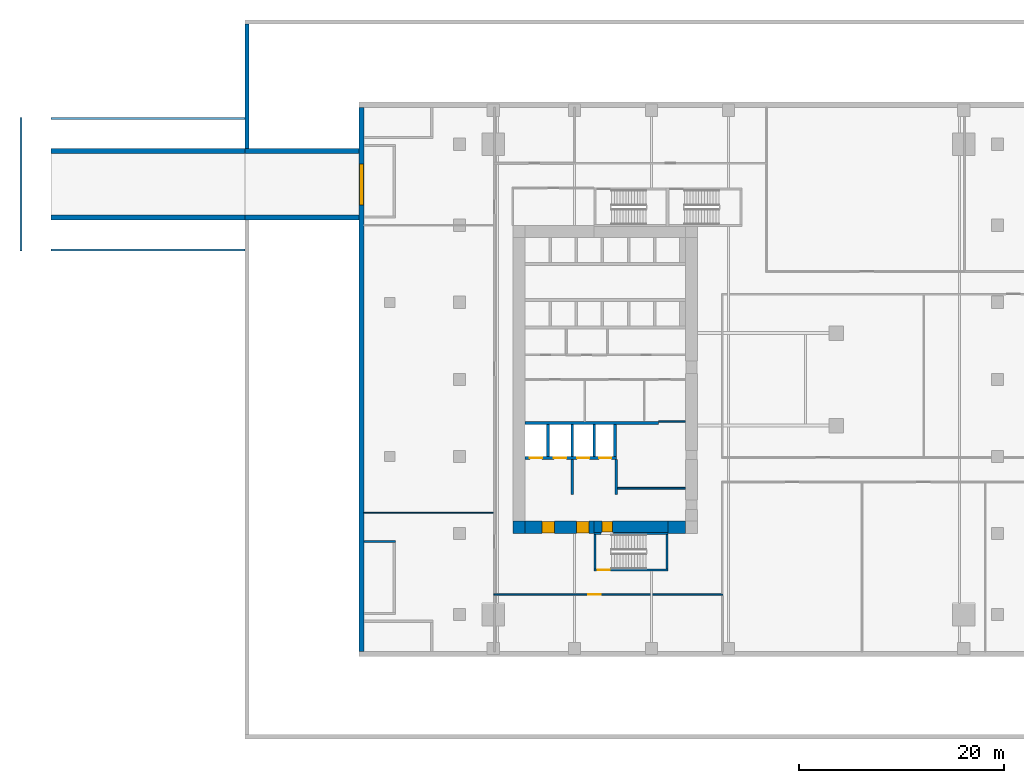
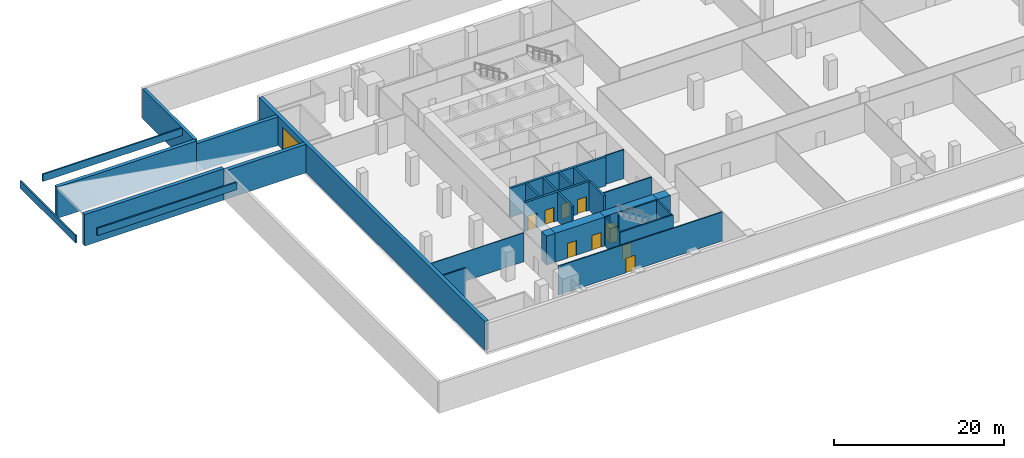
# One storey, part 3 of 11: 31 walls, 10 doors, 10 openings.
"""IFC4 building model written with IfcOpenShell, lengths in metres."""

from ifc_helpers import new_model, si_unit, direction, frame, frame_2d, origin, place, context, subcontext, project, spatial, rectangle, extrude, source, transform, mapped, material, layer, layer_set, type_object, element, fill, save


model = new_model("IFC4")

# Units and contexts
model_context = context("Model", 3, precision=1e-05, world=origin(), true_north=direction((0.0, 1.0)))
body_context = subcontext(model_context, "Body", "Model", "MODEL_VIEW")
ifc_project = project(units=[si_unit("LENGTHUNIT", "METRE"), si_unit("AREAUNIT", "SQUARE_METRE"), si_unit("VOLUMEUNIT", "CUBIC_METRE"), si_unit("PLANEANGLEUNIT", "RADIAN"), si_unit("MASSUNIT", "GRAM", prefix="KILO")], contexts=[model_context])

# Site, building, storey
site_placement = place(None, origin())
site = spatial("IfcSite", under=ifc_project, at=site_placement, CompositionType="ELEMENT")
building_placement = place(site_placement, origin())
building = spatial("IfcBuilding", under=site, at=building_placement, Name="Khomas Fold Tower", CompositionType="ELEMENT")
storey_placement = place(building_placement, frame((0.0, 0.0, -4.5)))
storey = spatial("IfcBuildingStorey", under=building, at=storey_placement, Name="B1", CompositionType="ELEMENT", Elevation=-4.5)

# Wall, openings, doors
ifc_material_1 = material(Name="Concrete C70/85", Category="concrete")
ifc_layer_1 = layer(ifc_material_1, 1.199951171875)
ifc_layer_set_1 = layer_set([ifc_layer_1], Name="Concrete C70/85")
wall_type_1 = type_object("IfcWallType", Name="Core wall 1200", PredefinedType="SHEAR", material=ifc_layer_set_1)
shared_shape_1 = source(origin(), body_context, "Body", "SweptSolid", [
    extrude(rectangle(XDim=6.699951171875, YDim=1.199951171875, at=frame_2d((3.35009765625, 0.0))), origin(), (0.0, 0.0, 1.0), 4.14990234375),
])
wall_1_placement = place(storey_placement, frame((7.199951171875, 12.60009765625, 0.0), z_axis=(0.0, 0.0, 1.0), x_axis=(1.0, 0.0, 0.0)))
wall_1 = element("IfcWall", 1, at=wall_1_placement, inside=storey, type_object=wall_type_1, Name="Core wall CW-L-S-B2", PredefinedType="SHEAR", context=body_context, shape_type="MappedRepresentation", body=[
    mapped(shared_shape_1, transform((0.0, 0.0, 0.0))),
])
shared_shape_2 = source(origin(), body_context, "Body", "SweptSolid", [
    extrude(rectangle(XDim=1.199951171875, YDim=2.10009765625, at=frame_2d((0.60009765625, 1.050048828125))), frame((0.0, 0.60986328125, 0.0), z_axis=(0.0, -1.0, 0.0), x_axis=(1.0, 0.0, 0.0)), (0.0, 0.0, 1.0), 1.219970703125),
])
opening_1_placement = place(wall_1_placement, frame((5.0, 0.0, 0.0)))
opening_1 = element("IfcOpeningElement", 2, at=opening_1_placement, cuts=wall_1, Name="Opening 0009", PredefinedType="OPENING", context=body_context, shape_type="MappedRepresentation", body=[
    mapped(shared_shape_2, transform((0.0, 0.0, 0.0))),
])
opening_2_placement = place(wall_1_placement, frame((1.64990234375, 0.0, 0.0)))
opening_2 = element("IfcOpeningElement", 3, at=opening_2_placement, cuts=wall_1, Name="Opening 0009", PredefinedType="OPENING", context=body_context, shape_type="MappedRepresentation", body=[
    mapped(shared_shape_2, transform((0.0, 0.0, 0.0))),
])
ifc_material_2 = material(Name="Steel door leaf", Category="steel")
door_type_1 = type_object("IfcDoorType", Name="Lobby door 1200x2100 right-hand", OperationType="SINGLE_SWING_RIGHT", PredefinedType="DOOR", material=ifc_material_2)
shared_shape_3 = source(origin(), body_context, "Body", "SweptSolid", [
    extrude(rectangle(XDim=1.199951171875, YDim=2.10009765625, at=frame_2d((0.60009765625, 1.050048828125))), frame((0.0, 0.5498046875, 0.0), z_axis=(0.0, -1.0, 0.0), x_axis=(1.0, 0.0, 0.0)), (0.0, 0.0, 1.0), 1.099853515625),
])
door_1_placement = place(opening_1_placement, origin())
door_1 = element("IfcDoor", 4, at=door_1_placement, inside=storey, type_object=door_type_1, Name="Lobby door", OperationType="SINGLE_SWING_RIGHT", OverallHeight=2.10009765625, OverallWidth=1.199951171875, PredefinedType="DOOR", context=body_context, shape_type="MappedRepresentation", body=[
    mapped(shared_shape_3, transform((0.0, 0.0, 0.0))),
])
fill(opening_1, door_1)
door_2_placement = place(opening_2_placement, origin())
door_2 = element("IfcDoor", 5, at=door_2_placement, inside=storey, type_object=door_type_1, Name="Lobby door", OperationType="SINGLE_SWING_RIGHT", OverallHeight=2.10009765625, OverallWidth=1.199951171875, PredefinedType="DOOR", context=body_context, shape_type="MappedRepresentation", body=[
    mapped(shared_shape_3, transform((0.0, 0.0, 0.0))),
])
fill(opening_2, door_2)

# Wall
ifc_material_3 = material(Name="Concrete C70/85", Category="concrete")
ifc_layer_2 = layer(ifc_material_3, 1.199951171875)
ifc_layer_set_2 = layer_set([ifc_layer_2], Name="Concrete C70/85")
wall_type_2 = type_object("IfcWallType", Name="Core corner wall 1200", PredefinedType="SHEAR", material=ifc_layer_set_2)
shared_shape_4 = source(origin(), body_context, "Body", "SweptSolid", [
    extrude(rectangle(XDim=1.199951171875, YDim=1.199951171875, at=frame_2d((0.60009765625, 0.0))), origin(), (0.0, 0.0, 1.0), 4.14990234375),
])
wall_2_placement = place(storey_placement, frame((6.0, 12.60009765625, 0.0), z_axis=(0.0, 0.0, 1.0), x_axis=(1.0, 0.0, 0.0)))
element("IfcWall", 6, at=wall_2_placement, inside=storey, type_object=wall_type_2, Name="Core wall CW-L-SW-B2", PredefinedType="SHEAR", context=body_context, shape_type="MappedRepresentation", body=[
    mapped(shared_shape_4, transform((0.0, 0.0, 0.0))),
])

# Wall, opening, door
ifc_material_4 = material(Name="Concrete C70/85", Category="concrete")
ifc_layer_3 = layer(ifc_material_4, 1.10009765625)
ifc_layer_set_3 = layer_set([ifc_layer_3], Name="Concrete C70/85")
wall_type_3 = type_object("IfcWallType", Name="Core wall 1100", PredefinedType="SHEAR", material=ifc_layer_set_3)
shared_shape_5 = source(origin(), body_context, "Body", "SweptSolid", [
    extrude(rectangle(XDim=7.2001953125, YDim=1.10009765625, at=frame_2d((3.60009765625, 0.0))), origin(), (0.0, 0.0, 1.0), 4.14990234375),
])
wall_3_placement = place(storey_placement, frame((13.89990234375, 12.64990234375, 0.0), z_axis=(0.0, 0.0, 1.0), x_axis=(1.0, 0.0, 0.0)))
wall_3 = element("IfcWall", 7, at=wall_3_placement, inside=storey, type_object=wall_type_3, Name="Core wall CW-L-S-B2-1", PredefinedType="SHEAR", context=body_context, shape_type="MappedRepresentation", body=[
    mapped(shared_shape_5, transform((0.0, 0.0, 0.0))),
])
shared_shape_6 = source(origin(), body_context, "Body", "SweptSolid", [
    extrude(rectangle(XDim=1.0, YDim=2.10009765625, at=frame_2d((0.5, 1.050048828125))), frame((0.0, 0.56005859375, 0.0), z_axis=(0.0, -1.0, 0.0), x_axis=(1.0, 0.0, 0.0)), (0.0, 0.0, 1.0), 1.1201171875),
])
opening_3_placement = place(wall_3_placement, frame((0.800048828125, 0.0, 0.0)))
opening_3 = element("IfcOpeningElement", 8, at=opening_3_placement, cuts=wall_3, Name="Opening 0010", PredefinedType="OPENING", context=body_context, shape_type="MappedRepresentation", body=[
    mapped(shared_shape_6, transform((0.0, 0.0, 0.0))),
])
ifc_material_5 = material(Name="Steel door leaf", Category="steel")
door_type_2 = type_object("IfcDoorType", Name="Stair door 1000x2100 right-hand", OperationType="SINGLE_SWING_RIGHT", PredefinedType="DOOR", material=ifc_material_5)
shared_shape_7 = source(origin(), body_context, "Body", "SweptSolid", [
    extrude(rectangle(XDim=1.0, YDim=2.10009765625, at=frame_2d((0.5, 1.050048828125))), frame((0.0, 0.5, 0.0), z_axis=(0.0, -1.0, 0.0), x_axis=(1.0, 0.0, 0.0)), (0.0, 0.0, 1.0), 1.0),
])
door_3_placement = place(opening_3_placement, origin())
door_3 = element("IfcDoor", 9, at=door_3_placement, inside=storey, type_object=door_type_2, Name="Stair door", OperationType="SINGLE_SWING_RIGHT", OverallHeight=2.10009765625, OverallWidth=1.0, PredefinedType="DOOR", context=body_context, shape_type="MappedRepresentation", body=[
    mapped(shared_shape_7, transform((0.0, 0.0, 0.0))),
])
fill(opening_3, door_3)

# Walls
shared_shape_8 = source(origin(), body_context, "Body", "SweptSolid", [
    extrude(rectangle(XDim=1.699951171875, YDim=1.199951171875, at=frame_2d((0.85009765625, 0.0))), origin(), (0.0, 0.0, 1.0), 4.14990234375),
])
wall_4_placement = place(storey_placement, frame((21.10009765625, 12.60009765625, 0.0), z_axis=(0.0, 0.0, 1.0), x_axis=(1.0, 0.0, 0.0)))
element("IfcWall", 10, at=wall_4_placement, inside=storey, type_object=wall_type_1, Name="Core wall CW-L-S-B2-2", PredefinedType="SHEAR", context=body_context, shape_type="MappedRepresentation", body=[
    mapped(shared_shape_8, transform((0.0, 0.0, 0.0))),
])
ifc_material_6 = material(Name="Concrete C50/60", Category="concrete")
ifc_layer_4 = layer(ifc_material_6, 0.199951171875)
ifc_layer_set_4 = layer_set([ifc_layer_4], Name="Concrete C50/60")
wall_type_4 = type_object("IfcWallType", Name="Stair wall 200", PredefinedType="SHEAR", material=ifc_layer_set_4)
shared_shape_9 = source(origin(), body_context, "Body", "SweptSolid", [
    extrude(rectangle(XDim=0.7001953125, YDim=0.199951171875, at=frame_2d((0.35009765625, 0.0))), origin(), (0.0, 0.0, 1.0), 4.14990234375),
])
wall_5_placement = place(storey_placement, frame((13.89990234375, 12.0, 0.0), z_axis=(0.0, 0.0, 1.0), x_axis=(1.0, 0.0, 0.0)))
element("IfcWall", 11, at=wall_5_placement, inside=storey, type_object=wall_type_4, Name="Stair wall SW-ST2-N", PredefinedType="SHEAR", context=body_context, shape_type="MappedRepresentation", body=[
    mapped(shared_shape_9, transform((0.0, 0.0, 0.0))),
])
shared_shape_10 = source(origin(), body_context, "Body", "SweptSolid", [
    extrude(rectangle(XDim=5.300048828125, YDim=0.199951171875, at=frame_2d((2.64990234375, 0.0))), origin(), (0.0, 0.0, 1.0), 4.14990234375),
])
wall_6_placement = place(storey_placement, frame((15.800048828125, 12.0, 0.0), z_axis=(0.0, 0.0, 1.0), x_axis=(1.0, 0.0, 0.0)))
element("IfcWall", 12, at=wall_6_placement, inside=storey, type_object=wall_type_4, Name="Stair wall SW-ST2-NB", PredefinedType="SHEAR", context=body_context, shape_type="MappedRepresentation", body=[
    mapped(shared_shape_10, transform((0.0, 0.0, 0.0))),
])

# Wall, opening, door
shared_shape_11 = source(origin(), body_context, "Body", "SweptSolid", [
    extrude(rectangle(XDim=7.2001953125, YDim=0.199951171875, at=frame_2d((3.60009765625, 0.0))), origin(), (0.0, 0.0, 1.0), 4.14990234375),
])
wall_7_placement = place(storey_placement, frame((13.89990234375, 8.449951171875, 0.0), z_axis=(0.0, 0.0, 1.0), x_axis=(1.0, 0.0, 0.0)))
wall_7 = element("IfcWall", 13, at=wall_7_placement, inside=storey, type_object=wall_type_4, Name="Stair wall SW-ST2-S", PredefinedType="SHEAR", context=body_context, shape_type="MappedRepresentation", body=[
    mapped(shared_shape_11, transform((0.0, 0.0, 0.0))),
])
shared_shape_12 = source(origin(), body_context, "Body", "SweptSolid", [
    extrude(rectangle(XDim=1.199951171875, YDim=2.10009765625, at=frame_2d((0.60009765625, 1.050048828125))), frame((0.0, 0.10986328125, 0.0), z_axis=(0.0, -1.0, 0.0), x_axis=(1.0, 0.0, 0.0)), (0.0, 0.0, 1.0), 0.219970703125),
])
opening_4_placement = place(wall_7_placement, frame((0.35009765625, 0.0, 0.0)))
opening_4 = element("IfcOpeningElement", 14, at=opening_4_placement, cuts=wall_7, Name="Opening SD-ST2", PredefinedType="OPENING", context=body_context, shape_type="MappedRepresentation", body=[
    mapped(shared_shape_12, transform((0.0, 0.0, 0.0))),
])
ifc_material_7 = material(Name="Steel door leaf", Category="steel")
door_type_3 = type_object("IfcDoorType", Name="Stair door 1200x2100 right-hand", OperationType="SINGLE_SWING_RIGHT", PredefinedType="DOOR", material=ifc_material_7)
shared_shape_13 = source(origin(), body_context, "Body", "SweptSolid", [
    extrude(rectangle(XDim=1.199951171875, YDim=2.10009765625, at=frame_2d((0.60009765625, 1.050048828125))), frame((0.0, 0.02490234375, 0.0), z_axis=(0.0, -1.0, 0.0), x_axis=(1.0, 0.0, 0.0)), (0.0, 0.0, 1.0), 0.050048828125),
])
door_4_placement = place(opening_4_placement, origin())
door_4 = element("IfcDoor", 15, at=door_4_placement, inside=storey, type_object=door_type_3, Name="Stair door", OperationType="SINGLE_SWING_RIGHT", OverallHeight=2.10009765625, OverallWidth=1.199951171875, PredefinedType="DOOR", context=body_context, shape_type="MappedRepresentation", body=[
    mapped(shared_shape_13, transform((0.0, 0.0, 0.0))),
])
fill(opening_4, door_4)

# Walls
shared_shape_14 = source(origin(), body_context, "Body", "SweptSolid", [
    extrude(rectangle(XDim=3.349853515625, YDim=0.199951171875, at=frame_2d((1.6748046875, 0.0))), origin(), (0.0, 0.0, 1.0), 4.14990234375),
])
for number, where, z_axis, x_axis, name in (
    (16, (21.0, 8.550048828125, 0.0), (0.0, 0.0, 1.0), (0.0, 1.0, 0.0), "Stair wall SW-ST2-E"),
    (17, (14.0, 8.550048828125, 0.0), (0.0, 0.0, 1.0), (0.0, 1.0, 0.0), "Stair wall SW-ST2-W"),
):
    element("IfcWall", number, at=place(storey_placement, frame(where, z_axis=z_axis, x_axis=x_axis)), inside=storey, type_object=wall_type_4, Name=name, PredefinedType="SHEAR", context=body_context, shape_type="MappedRepresentation", body=[
        mapped(shared_shape_14, transform((0.0, 0.0, 0.0))),
    ])
ifc_material_8 = material(Name="Concrete C50/60", Category="concrete")
ifc_layer_5 = layer(ifc_material_8, 0.300048828125)
ifc_layer_set_5 = layer_set([ifc_layer_5], Name="Concrete C50/60")
wall_type_5 = type_object("IfcWallType", Name="Shaft wall 300", PredefinedType="STANDARD", material=ifc_layer_set_5)
shared_shape_15 = source(origin(), body_context, "Body", "SweptSolid", [
    extrude(rectangle(XDim=13.0, YDim=0.300048828125, at=frame_2d((6.5, 0.0))), origin(), (0.0, 0.0, 1.0), 4.14990234375),
])
wall_8_placement = place(storey_placement, frame((7.199951171875, 22.75, 0.0), z_axis=(0.0, 0.0, 1.0), x_axis=(1.0, 0.0, 0.0)))
element("IfcWall", 18, at=wall_8_placement, inside=storey, type_object=wall_type_5, Name="Core wall SW-FS-B", PredefinedType="STANDARD", context=body_context, shape_type="MappedRepresentation", body=[
    mapped(shared_shape_15, transform((0.0, 0.0, 0.0))),
])

# Wall, openings, doors
shared_shape_16 = source(origin(), body_context, "Body", "SweptSolid", [
    extrude(rectangle(XDim=8.875, YDim=0.300048828125, at=frame_2d((4.4375, 0.0))), origin(), (0.0, 0.0, 1.0), 4.14990234375),
])
wall_9_placement = place(storey_placement, frame((7.199951171875, 19.35009765625, 0.0), z_axis=(0.0, 0.0, 1.0), x_axis=(1.0, 0.0, 0.0)))
wall_9 = element("IfcWall", 19, at=wall_9_placement, inside=storey, type_object=wall_type_5, Name="Core wall SW-FS-F", PredefinedType="STANDARD", context=body_context, shape_type="MappedRepresentation", body=[
    mapped(shared_shape_16, transform((0.0, 0.0, 0.0))),
])
shared_shape_17 = source(origin(), body_context, "Body", "SweptSolid", [
    extrude(rectangle(XDim=1.199951171875, YDim=2.10009765625, at=frame_2d((0.60009765625, 1.050048828125))), frame((0.0, 0.159912109375, 0.0), z_axis=(0.0, -1.0, 0.0), x_axis=(1.0, 0.0, 0.0)), (0.0, 0.0, 1.0), 0.320068359375),
])
opening_5_placement = place(wall_9_placement, frame((0.449951171875, 0.0, 0.0)))
opening_5 = element("IfcOpeningElement", 20, at=opening_5_placement, cuts=wall_9, Name="Opening LD-SV1", PredefinedType="OPENING", context=body_context, shape_type="MappedRepresentation", body=[
    mapped(shared_shape_17, transform((0.0, 0.0, 0.0))),
])
opening_6_placement = place(wall_9_placement, frame((2.800048828125, 0.0, 0.0)))
opening_6 = element("IfcOpeningElement", 21, at=opening_6_placement, cuts=wall_9, Name="Opening LD-SV2", PredefinedType="OPENING", context=body_context, shape_type="MappedRepresentation", body=[
    mapped(shared_shape_17, transform((0.0, 0.0, 0.0))),
])
opening_7_placement = place(wall_9_placement, frame((5.050048828125, 0.0, 0.0)))
opening_7 = element("IfcOpeningElement", 22, at=opening_7_placement, cuts=wall_9, Name="Opening LD-FF1", PredefinedType="OPENING", context=body_context, shape_type="MappedRepresentation", body=[
    mapped(shared_shape_17, transform((0.0, 0.0, 0.0))),
])
opening_8_placement = place(wall_9_placement, frame((7.199951171875, 0.0, 0.0)))
opening_8 = element("IfcOpeningElement", 23, at=opening_8_placement, cuts=wall_9, Name="Opening LD-FF2", PredefinedType="OPENING", context=body_context, shape_type="MappedRepresentation", body=[
    mapped(shared_shape_17, transform((0.0, 0.0, 0.0))),
])
ifc_material_9 = material(Name="Steel door leaf", Category="steel")
door_type_4 = type_object("IfcDoorType", Name="Landing door 1200x2100", OperationType="DOUBLE_DOOR_SLIDING", PredefinedType="DOOR", material=ifc_material_9)
door_5_placement = place(opening_5_placement, origin())
door_5 = element("IfcDoor", 24, at=door_5_placement, inside=storey, type_object=door_type_4, Name="Lift landing door", OperationType="DOUBLE_DOOR_SLIDING", OverallHeight=2.10009765625, OverallWidth=1.199951171875, PredefinedType="DOOR", context=body_context, shape_type="MappedRepresentation", body=[
    mapped(shared_shape_13, transform((0.0, 0.0, 0.0))),
])
fill(opening_5, door_5)
door_6_placement = place(opening_6_placement, origin())
door_6 = element("IfcDoor", 25, at=door_6_placement, inside=storey, type_object=door_type_4, Name="Lift landing door", OperationType="DOUBLE_DOOR_SLIDING", OverallHeight=2.10009765625, OverallWidth=1.199951171875, PredefinedType="DOOR", context=body_context, shape_type="MappedRepresentation", body=[
    mapped(shared_shape_13, transform((0.0, 0.0, 0.0))),
])
fill(opening_6, door_6)
door_7_placement = place(opening_7_placement, origin())
door_7 = element("IfcDoor", 26, at=door_7_placement, inside=storey, type_object=door_type_4, Name="Lift landing door", OperationType="DOUBLE_DOOR_SLIDING", OverallHeight=2.10009765625, OverallWidth=1.199951171875, PredefinedType="DOOR", context=body_context, shape_type="MappedRepresentation", body=[
    mapped(shared_shape_13, transform((0.0, 0.0, 0.0))),
])
fill(opening_7, door_7)
door_8_placement = place(opening_8_placement, origin())
door_8 = element("IfcDoor", 27, at=door_8_placement, inside=storey, type_object=door_type_4, Name="Lift landing door", OperationType="DOUBLE_DOOR_SLIDING", OverallHeight=2.10009765625, OverallWidth=1.199951171875, PredefinedType="DOOR", context=body_context, shape_type="MappedRepresentation", body=[
    mapped(shared_shape_13, transform((0.0, 0.0, 0.0))),
])
fill(opening_8, door_8)

# Walls
ifc_material_10 = material(Name="Concrete C50/60", Category="concrete")
ifc_layer_6 = layer(ifc_material_10, 0.25)
ifc_layer_set_6 = layer_set([ifc_layer_6], Name="Concrete C50/60")
wall_type_6 = type_object("IfcWallType", Name="Shaft wall 250", PredefinedType="STANDARD", material=ifc_layer_set_6)
shared_shape_18 = source(origin(), body_context, "Body", "SweptSolid", [
    extrude(rectangle(XDim=3.10009765625, YDim=0.25, at=frame_2d((1.550048828125, 0.0))), origin(), (0.0, 0.0, 1.0), 4.14990234375),
])
for number, where, z_axis, x_axis, name in (
    (28, (9.425048828125, 19.5, 0.0), (0.0, 0.0, 1.0), (0.0, 1.0, 0.0), "Core wall SW-FS-P1"),
    (29, (11.77490234375, 19.5, 0.0), (0.0, 0.0, 1.0), (0.0, 1.0, 0.0), "Core wall SW-FS-P2"),
    (30, (13.925048828125, 19.5, 0.0), (0.0, 0.0, 1.0), (0.0, 1.0, 0.0), "Core wall SW-FS-P3"),
    (31, (15.949951171875, 19.5, 0.0), (0.0, 0.0, 1.0), (0.0, 1.0, 0.0), "Core wall SW-FS-PE"),
):
    element("IfcWall", number, at=place(storey_placement, frame(where, z_axis=z_axis, x_axis=x_axis)), inside=storey, type_object=wall_type_6, Name=name, PredefinedType="STANDARD", context=body_context, shape_type="MappedRepresentation", body=[
        mapped(shared_shape_18, transform((0.0, 0.0, 0.0))),
    ])
ifc_material_11 = material(Name="Concrete C50/60", Category="concrete")
ifc_layer_7 = layer(ifc_material_11, 0.25)
ifc_layer_set_7 = layer_set([ifc_layer_7], Name="Concrete C50/60")
wall_type_7 = type_object("IfcWallType", Name="Lobby wall 250", PredefinedType="STANDARD", material=ifc_layer_set_7)
shared_shape_19 = source(origin(), body_context, "Body", "SweptSolid", [
    extrude(rectangle(XDim=3.39990234375, YDim=0.25, at=frame_2d((1.699951171875, 0.0))), origin(), (0.0, 0.0, 1.0), 4.14990234375),
])
for number, where, z_axis, x_axis, name in (
    (32, (16.074951171875, 15.800048828125, 0.0), (0.0, 0.0, 1.0), (0.0, 1.0, 0.0), "Core wall SW-FS-LOB-E"),
    (33, (11.77490234375, 15.800048828125, 0.0), (0.0, 0.0, 1.0), (0.0, 1.0, 0.0), "Core wall SW-FS-SEP"),
):
    element("IfcWall", number, at=place(storey_placement, frame(where, z_axis=z_axis, x_axis=x_axis)), inside=storey, type_object=wall_type_7, Name=name, PredefinedType="STANDARD", context=body_context, shape_type="MappedRepresentation", body=[
        mapped(shared_shape_19, transform((0.0, 0.0, 0.0))),
    ])

# Wall, opening, door
ifc_material_12 = material(Name="Concrete C40/50", Category="concrete")
ifc_layer_8 = layer(ifc_material_12, 0.5)
ifc_layer_set_8 = layer_set([ifc_layer_8], Name="Concrete C40/50")
wall_type_8 = type_object("IfcWallType", Name="Basement wall 500", PredefinedType="STANDARD", material=ifc_layer_set_8)
shared_shape_20 = source(origin(), body_context, "Body", "SweptSolid", [
    extrude(rectangle(XDim=53.0, YDim=0.5, at=frame_2d((26.5, 0.0))), origin(), (0.0, 0.0, 1.0), 4.14990234375),
])
wall_10_placement = place(storey_placement, frame((-8.75, 0.5, 0.0), z_axis=(0.0, 0.0, 1.0), x_axis=(0.0, 1.0, 0.0)))
wall_10 = element("IfcWall", 34, at=wall_10_placement, inside=storey, type_object=wall_type_8, Name="Basement wall W", PredefinedType="STANDARD", context=body_context, shape_type="MappedRepresentation", body=[
    mapped(shared_shape_20, transform((0.0, 0.0, 0.0))),
])
shared_shape_21 = source(origin(), body_context, "Body", "SweptSolid", [
    extrude(rectangle(XDim=4.0, YDim=3.199951171875, at=frame_2d((2.0, 1.60009765625))), frame((0.0, 0.260009765625, 0.0), z_axis=(0.0, -1.0, 0.0), x_axis=(1.0, 0.0, 0.0)), (0.0, 0.0, 1.0), 0.52001953125),
])
opening_9_placement = place(wall_10_placement, frame((43.5, 0.0, 0.0)))
opening_9 = element("IfcOpeningElement", 35, at=opening_9_placement, cuts=wall_10, Name="Opening V2", PredefinedType="OPENING", context=body_context, shape_type="MappedRepresentation", body=[
    mapped(shared_shape_21, transform((0.0, 0.0, 0.0))),
])
ifc_material_13 = material(Name="Galvanised steel", Category="steel")
door_type_5 = type_object("IfcDoorType", Name="Roller shutter gate 4000 x 3200", OperationType="ROLLINGUP", PredefinedType="GATE", material=ifc_material_13)
shared_shape_22 = source(origin(), body_context, "Body", "SweptSolid", [
    extrude(rectangle(XDim=4.0, YDim=3.199951171875, at=frame_2d((2.0, 1.60009765625))), frame((0.0, 0.199951171875, 0.0), z_axis=(0.0, -1.0, 0.0), x_axis=(1.0, 0.0, 0.0)), (0.0, 0.0, 1.0), 0.39990234375),
])
door_9_placement = place(opening_9_placement, origin())
door_9 = element("IfcDoor", 36, at=door_9_placement, inside=storey, type_object=door_type_5, Name="Vehicle gate V2", OperationType="ROLLINGUP", OverallHeight=3.199951171875, OverallWidth=4.0, PredefinedType="GATE", context=body_context, shape_type="MappedRepresentation", body=[
    mapped(shared_shape_22, transform((0.0, 0.0, 0.0))),
])
fill(opening_9, door_9)

# Walls
ifc_material_14 = material(Name="Concrete C40/50", Category="concrete")
ifc_layer_9 = layer(ifc_material_14, 0.39990234375)
ifc_layer_set_9 = layer_set([ifc_layer_9], Name="Concrete C40/50")
wall_type_9 = type_object("IfcWallType", Name="Plaza retaining wall 400", PredefinedType="SOLIDWALL", material=ifc_layer_set_9)
shared_shape_23 = source(origin(), body_context, "Body", "SweptSolid", [
    extrude(rectangle(XDim=12.10009765625, YDim=0.39990234375, at=frame_2d((6.050048828125, 0.0))), origin(), (0.0, 0.0, 1.0), 4.35009765625),
])
wall_11_placement = place(storey_placement, frame((-19.898193359375, 49.5, 0.0), z_axis=(0.0, 0.0, 1.0), x_axis=(0.0, 1.0, 0.0)))
element("IfcWall", 37, at=wall_11_placement, inside=storey, type_object=wall_type_9, Name="Plaza retaining wall", PredefinedType="SOLIDWALL", context=body_context, shape_type="MappedRepresentation", body=[
    mapped(shared_shape_23, transform((0.0, 0.0, 0.0))),
])
ifc_material_15 = material(Name="Concrete C35/45", Category="concrete")
ifc_layer_10 = layer(ifc_material_15, 0.199951171875)
ifc_layer_set_10 = layer_set([ifc_layer_10], Name="Concrete C35/45")
wall_type_10 = type_object("IfcWallType", Name="Paving kerb wall 200", PredefinedType="SOLIDWALL", material=ifc_layer_set_10)
shared_shape_24 = source(origin(), body_context, "Body", "SweptSolid", [
    extrude(rectangle(XDim=18.896484375, YDim=0.199951171875, at=frame_2d((9.4482421875, 0.0))), origin(), (0.0, 0.0, 1.0), 1.050048828125),
])
for number, where, z_axis, x_axis, name in (
    (38, (-38.99462890625, 39.60009765625, 3.300048828125), (0.0, 0.0, 1.0), (1.0, 0.0, 0.0), "Paving kerb wall"),
    (39, (-38.99462890625, 52.39990234375, 3.300048828125), (0.0, 0.0, 1.0), (1.0, 0.0, 0.0), "Paving kerb wall"),
):
    element("IfcWall", number, at=place(storey_placement, frame(where, z_axis=z_axis, x_axis=x_axis)), inside=storey, type_object=wall_type_10, Name=name, PredefinedType="SOLIDWALL", context=body_context, shape_type="MappedRepresentation", body=[
        mapped(shared_shape_24, transform((0.0, 0.0, 0.0))),
    ])
shared_shape_25 = source(origin(), body_context, "Body", "SweptSolid", [
    extrude(rectangle(XDim=13.0, YDim=0.199951171875, at=frame_2d((6.5, 0.0))), origin(), (0.0, 0.0, 1.0), 1.050048828125),
])
wall_12_placement = place(storey_placement, frame((-41.89453125, 39.5, 3.300048828125), z_axis=(0.0, 0.0, 1.0), x_axis=(0.0, 1.0, 0.0)))
element("IfcWall", 40, at=wall_12_placement, inside=storey, type_object=wall_type_10, Name="Paving kerb wall", PredefinedType="SOLIDWALL", context=body_context, shape_type="MappedRepresentation", body=[
    mapped(shared_shape_25, transform((0.0, 0.0, 0.0))),
])
ifc_material_16 = material(Name="Concrete C40/50", Category="concrete")
ifc_layer_11 = layer(ifc_material_16, 0.5)
ifc_layer_set_11 = layer_set([ifc_layer_11], Name="Concrete C40/50")
wall_type_11 = type_object("IfcWallType", Name="Ramp retaining wall 500", PredefinedType="SOLIDWALL", material=ifc_layer_set_11)
shared_shape_26 = source(origin(), body_context, "Body", "SweptSolid", [
    extrude(rectangle(XDim=18.896484375, YDim=0.5, at=frame_2d((9.4482421875, 0.0))), origin(), (0.0, 0.0, 1.0), 4.5),
])
for number, where, z_axis, x_axis, name in (
    (41, (-38.99462890625, 42.75, 0.0), (0.0, 0.0, 1.0), (1.0, 0.0, 0.0), "Ramp retaining wall"),
    (42, (-38.99462890625, 49.25, 0.0), (0.0, 0.0, 1.0), (1.0, 0.0, 0.0), "Ramp retaining wall"),
):
    element("IfcWall", number, at=place(storey_placement, frame(where, z_axis=z_axis, x_axis=x_axis)), inside=storey, type_object=wall_type_11, Name=name, PredefinedType="SOLIDWALL", context=body_context, shape_type="MappedRepresentation", body=[
        mapped(shared_shape_26, transform((0.0, 0.0, 0.0))),
    ])
ifc_material_17 = material(Name="Concrete C40/50", Category="concrete")
ifc_layer_12 = layer(ifc_material_17, 0.5)
ifc_layer_set_12 = layer_set([ifc_layer_12], Name="Concrete C40/50")
wall_type_12 = type_object("IfcWallType", Name="Ramp retaining wall 500 under cover", PredefinedType="SOLIDWALL", material=ifc_layer_set_12)
shared_shape_27 = source(origin(), body_context, "Body", "SweptSolid", [
    extrude(rectangle(XDim=11.09814453125, YDim=0.5, at=frame_2d((5.549072265625, 0.0))), origin(), (0.0, 0.0, 1.0), 4.10009765625),
])
for number, where, z_axis, x_axis, name in (
    (43, (-20.09814453125, 42.75, 0.0), (0.0, 0.0, 1.0), (1.0, 0.0, 0.0), "Ramp retaining wall"),
    (44, (-20.09814453125, 49.25, 0.0), (0.0, 0.0, 1.0), (1.0, 0.0, 0.0), "Ramp retaining wall"),
):
    element("IfcWall", number, at=place(storey_placement, frame(where, z_axis=z_axis, x_axis=x_axis)), inside=storey, type_object=wall_type_12, Name=name, PredefinedType="SOLIDWALL", context=body_context, shape_type="MappedRepresentation", body=[
        mapped(shared_shape_27, transform((0.0, 0.0, 0.0))),
    ])

# Wall, opening, door
ifc_material_18 = material(Name="Plasterboard fire partition")
ifc_layer_13 = layer(ifc_material_18, 0.14990234375)
ifc_layer_set_13 = layer_set([ifc_layer_13], Name="Plasterboard fire partition")
wall_type_13 = type_object("IfcWallType", Name="Plant room wall PW3 150", PredefinedType="PARTITIONING", material=ifc_layer_set_13)
shared_shape_28 = source(origin(), body_context, "Body", "SweptSolid", [
    extrude(rectangle(XDim=22.300048828125, YDim=0.14990234375, at=frame_2d((11.14990234375, 0.0))), origin(), (0.0, 0.0, 1.0), 4.14990234375),
])
wall_13_placement = place(storey_placement, frame((4.14990234375, 6.050048828125, 0.0), z_axis=(0.0, 0.0, 1.0), x_axis=(1.0, 0.0, 0.0)))
wall_13 = element("IfcWall", 45, at=wall_13_placement, inside=storey, type_object=wall_type_13, Name="Plant room wall", PredefinedType="PARTITIONING", context=body_context, shape_type="MappedRepresentation", body=[
    mapped(shared_shape_28, transform((0.0, 0.0, 0.0))),
])
shared_shape_29 = source(origin(), body_context, "Body", "SweptSolid", [
    extrude(rectangle(XDim=1.199951171875, YDim=2.10009765625, at=frame_2d((0.60009765625, 1.050048828125))), frame((0.0, 0.0849609375, 0.0), z_axis=(0.0, -1.0, 0.0), x_axis=(1.0, 0.0, 0.0)), (0.0, 0.0, 1.0), 0.169921875),
])
opening_10_placement = place(wall_13_placement, frame((9.199951171875, 0.0, 0.0)))
opening_10 = element("IfcOpeningElement", 46, at=opening_10_placement, cuts=wall_13, Name="Opening 0012", PredefinedType="OPENING", context=body_context, shape_type="MappedRepresentation", body=[
    mapped(shared_shape_29, transform((0.0, 0.0, 0.0))),
])
ifc_material_19 = material(Name="Steel door leaf", Category="steel")
door_type_6 = type_object("IfcDoorType", Name="Plant room door 1200x2100 left-hand", OperationType="SINGLE_SWING_LEFT", PredefinedType="DOOR", material=ifc_material_19)
door_10_placement = place(opening_10_placement, origin())
door_10 = element("IfcDoor", 47, at=door_10_placement, inside=storey, type_object=door_type_6, Name="Plant room door", OperationType="SINGLE_SWING_LEFT", OverallHeight=2.10009765625, OverallWidth=1.199951171875, PredefinedType="DOOR", context=body_context, shape_type="MappedRepresentation", body=[
    mapped(shared_shape_13, transform((0.0, 0.0, 0.0))),
])
fill(opening_10, door_10)

# Walls
ifc_material_20 = material(Name="Plasterboard partition")
ifc_layer_14 = layer(ifc_material_20, 0.10009765625)
ifc_layer_set_14 = layer_set([ifc_layer_14], Name="Plasterboard partition")
wall_type_14 = type_object("IfcWallType", Name="Partition PW1 100", PredefinedType="PARTITIONING", material=ifc_layer_set_14)
shared_shape_30 = source(origin(), body_context, "Body", "SweptSolid", [
    extrude(rectangle(XDim=12.60009765625, YDim=0.10009765625, at=frame_2d((6.300048828125, 0.0))), origin(), (0.0, 0.0, 1.0), 4.14990234375),
])
wall_14_placement = place(storey_placement, frame((-8.5, 14.0, 0.0), z_axis=(0.0, 0.0, 1.0), x_axis=(1.0, 0.0, 0.0)))
element("IfcWall", 48, at=wall_14_placement, inside=storey, type_object=wall_type_14, Name="Partition", PredefinedType="PARTITIONING", context=body_context, shape_type="MappedRepresentation", body=[
    mapped(shared_shape_30, transform((0.0, 0.0, 0.0))),
])
shared_shape_31 = source(origin(), body_context, "Body", "SweptSolid", [
    extrude(rectangle(XDim=6.60009765625, YDim=0.14990234375, at=frame_2d((3.300048828125, 0.0))), origin(), (0.0, 0.0, 1.0), 4.14990234375),
])
wall_15_placement = place(storey_placement, frame((16.199951171875, 16.39990234375, 0.0), z_axis=(0.0, 0.0, 1.0), x_axis=(1.0, 0.0, 0.0)))
element("IfcWall", 49, at=wall_15_placement, inside=storey, type_object=wall_type_13, Name="Plant room wall", PredefinedType="PARTITIONING", context=body_context, shape_type="MappedRepresentation", body=[
    mapped(shared_shape_31, transform((0.0, 0.0, 0.0))),
])
shared_shape_32 = source(origin(), body_context, "Body", "SweptSolid", [
    extrude(rectangle(XDim=2.60009765625, YDim=0.14990234375, at=frame_2d((1.300048828125, 0.0))), origin(), (0.0, 0.0, 1.0), 4.14990234375),
])
wall_16_placement = place(storey_placement, frame((20.199951171875, 22.89990234375, 0.0), z_axis=(0.0, 0.0, 1.0), x_axis=(1.0, 0.0, 0.0)))
element("IfcWall", 50, at=wall_16_placement, inside=storey, type_object=wall_type_13, Name="Plant room wall", PredefinedType="PARTITIONING", context=body_context, shape_type="MappedRepresentation", body=[
    mapped(shared_shape_32, transform((0.0, 0.0, 0.0))),
])
ifc_material_21 = material(Name="Concrete C30/37", Category="concrete")
ifc_layer_15 = layer(ifc_material_21, 0.199951171875)
ifc_layer_set_15 = layer_set([ifc_layer_15], Name="Concrete C30/37")
wall_type_15 = type_object("IfcWallType", Name="Stair wall PW5 200", PredefinedType="PARTITIONING", material=ifc_layer_set_15)
shared_shape_33 = source(origin(), body_context, "Body", "SweptSolid", [
    extrude(rectangle(XDim=3.050048828125, YDim=0.199951171875, at=frame_2d((1.52490234375, 0.0))), origin(), (0.0, 0.0, 1.0), 4.14990234375),
])
wall_17_placement = place(storey_placement, frame((-8.5, 11.199951171875, 0.0), z_axis=(0.0, 0.0, 1.0), x_axis=(1.0, 0.0, 0.0)))
element("IfcWall", 51, at=wall_17_placement, inside=storey, type_object=wall_type_15, Name="Stair wall", PredefinedType="PARTITIONING", context=body_context, shape_type="MappedRepresentation", body=[
    mapped(shared_shape_33, transform((0.0, 0.0, 0.0))),
])

save(model, "model.ifc")
